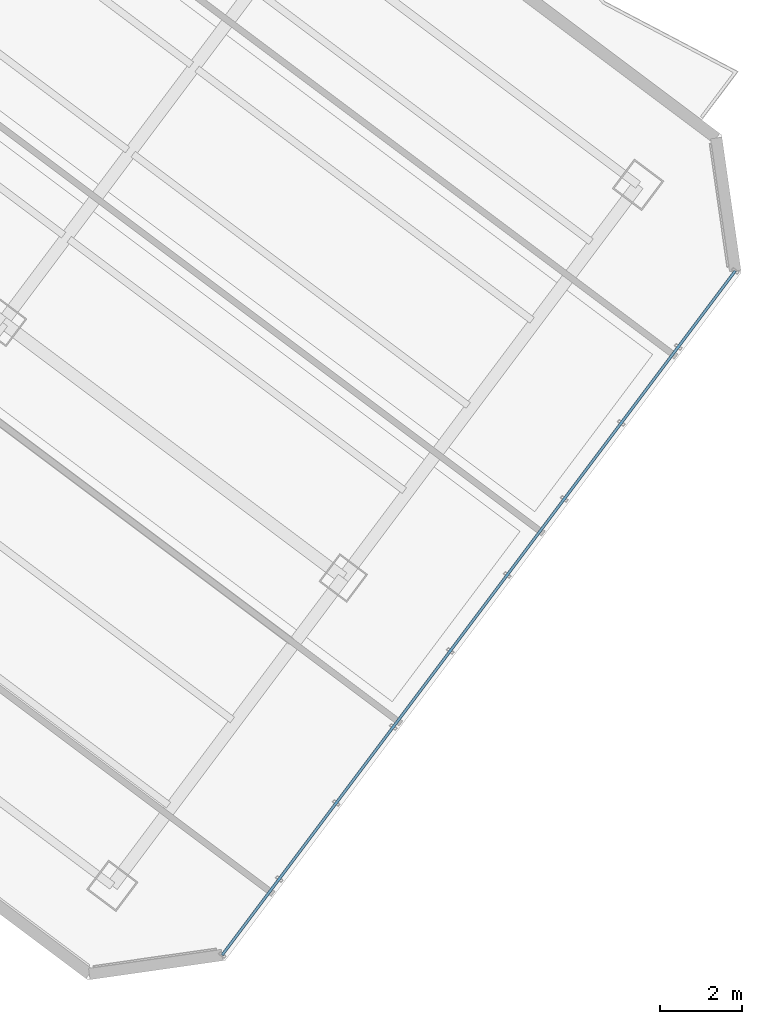
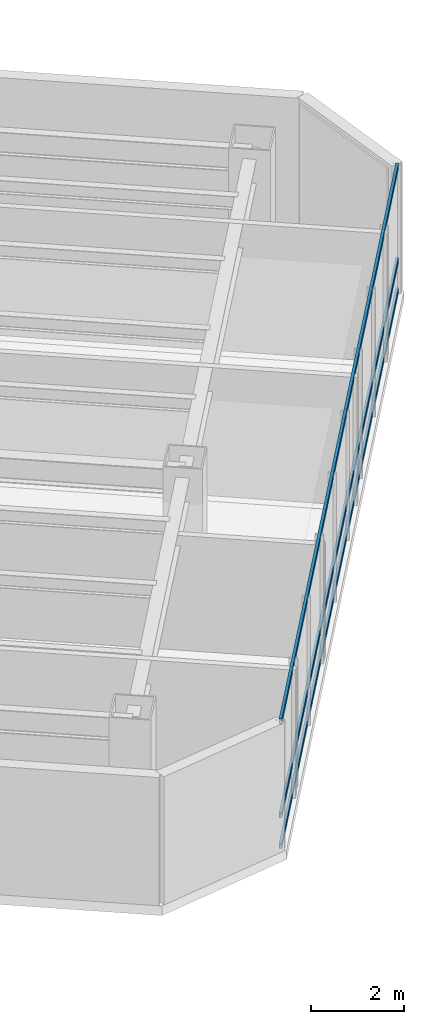
# One storey, part 9 of 31: 3 members, 1 element without a shape of its own.
"""IFC4 building model written with IfcOpenShell, lengths in metres."""

from ifc_helpers import new_model, si_unit, direction, frame, origin, origin_2d, place, context, subcontext, project, spatial, hollow_rectangle, extrude, material, layer, layer_set, material_profile, profile_set, type_object, element, aggregate, save


model = new_model("IFC4")

# Units and contexts
model_context = context("Model", 3, precision=1e-05, world=origin(), true_north=direction((0.0, 1.0)))
body_context = subcontext(model_context, "Body", "Model", "MODEL_VIEW")
ifc_project = project(units=[si_unit("LENGTHUNIT", "METRE"), si_unit("AREAUNIT", "SQUARE_METRE"), si_unit("VOLUMEUNIT", "CUBIC_METRE"), si_unit("PLANEANGLEUNIT", "RADIAN"), si_unit("MASSUNIT", "GRAM", prefix="KILO")], contexts=[model_context])

# Site, building, storey
site_placement = place(None, origin())
site = spatial("IfcSite", under=ifc_project, at=site_placement, CompositionType="ELEMENT")
building_placement = place(site_placement, origin())
building = spatial("IfcBuilding", under=site, at=building_placement, Name="Hatsunagi Terrace Concourse", CompositionType="ELEMENT")
storey_placement = place(building_placement, frame((0.0, 0.0, 122.85009765625)))
storey = spatial("IfcBuildingStorey", under=building, at=storey_placement, Name="L32", CompositionType="ELEMENT", Elevation=122.85009765625)

# Curtain wall, members
ifc_material_1 = material(Name="Anodised Aluminium Alloy 6063-T5", Category="aluminium")
ifc_layer = layer(ifc_material_1, 0.199951171875)
ifc_layer_set = layer_set([ifc_layer], Name="OfficeZone1_CW03")
curtain_wall_type = type_object("IfcCurtainWallType", Name="OfficeZone1_CW03", PredefinedType="NOTDEFINED", material=ifc_layer_set)
curtain_wall_placement = place(storey_placement, origin())
curtain_wall = element("IfcCurtainWall", 1, at=curtain_wall_placement, inside=storey, type_object=curtain_wall_type, Name="Unitised Curtain Wall CW-03 CW-L32-03", PredefinedType="NOTDEFINED")
ifc_material_2 = material(Name="Anodised Aluminium Alloy 6063-T5", Category="aluminium")
ifc_material_profile = material_profile(ifc_material_2, hollow_rectangle(XDim=0.06494140625, YDim=0.139892578125, WallThickness=0.00390625, at=origin_2d()), Name="ALU-TRN-140x65x4")
ifc_profile_set = profile_set([ifc_material_profile], Name="Anodised Aluminium Alloy 6063-T5")
member_type = type_object("IfcMemberType", Name="CurtainWallTransom_140x65", PredefinedType="USERDEFINED", material=ifc_profile_set)
member_1_placement = place(storey_placement, frame((69.093017578125, 19.657958984375, 0.0498046875), z_axis=(-0.599970072971, -0.800022444397, 0.0), x_axis=(0.800022444397, -0.599970072971, 0.0)))
member_1 = element("IfcMember", 2, at=member_1_placement, type_object=member_type, Name="Curtain Wall Transom TRN-02", ObjectType="TRANSOM", PredefinedType="USERDEFINED", context=body_context, shape_type="SweptSolid", body=[
    extrude(hollow_rectangle(XDim=0.06494140625, YDim=0.139892578125, WallThickness=0.00390625, at=origin_2d()), origin(), (0.0, 0.0, 1.0), 20.884521484375),
])
member_2_placement = place(storey_placement, frame((69.093017578125, 19.657958984375, 0.849853515625), z_axis=(-0.599970072971, -0.800022444397, 0.0), x_axis=(0.800022444397, -0.599970072971, 0.0)))
member_2 = element("IfcMember", 3, at=member_2_placement, type_object=member_type, Name="Curtain Wall Transom TRN-02", ObjectType="TRANSOM", PredefinedType="USERDEFINED", context=body_context, shape_type="SweptSolid", body=[
    extrude(hollow_rectangle(XDim=0.06494140625, YDim=0.139892578125, WallThickness=0.00390625, at=origin_2d()), origin(), (0.0, 0.0, 1.0), 20.884521484375),
])
member_3_placement = place(storey_placement, frame((69.093017578125, 19.657958984375, 3.2998046875), z_axis=(-0.599970072971, -0.800022444397, 0.0), x_axis=(0.800022444397, -0.599970072971, 0.0)))
member_3 = element("IfcMember", 4, at=member_3_placement, type_object=member_type, Name="Curtain Wall Transom TRN-02", ObjectType="TRANSOM", PredefinedType="USERDEFINED", context=body_context, shape_type="SweptSolid", body=[
    extrude(hollow_rectangle(XDim=0.06494140625, YDim=0.139892578125, WallThickness=0.00390625, at=origin_2d()), origin(), (0.0, 0.0, 1.0), 20.884521484375),
])
aggregate(curtain_wall, [member_1, member_2, member_3])

save(model, "model.ifc")
